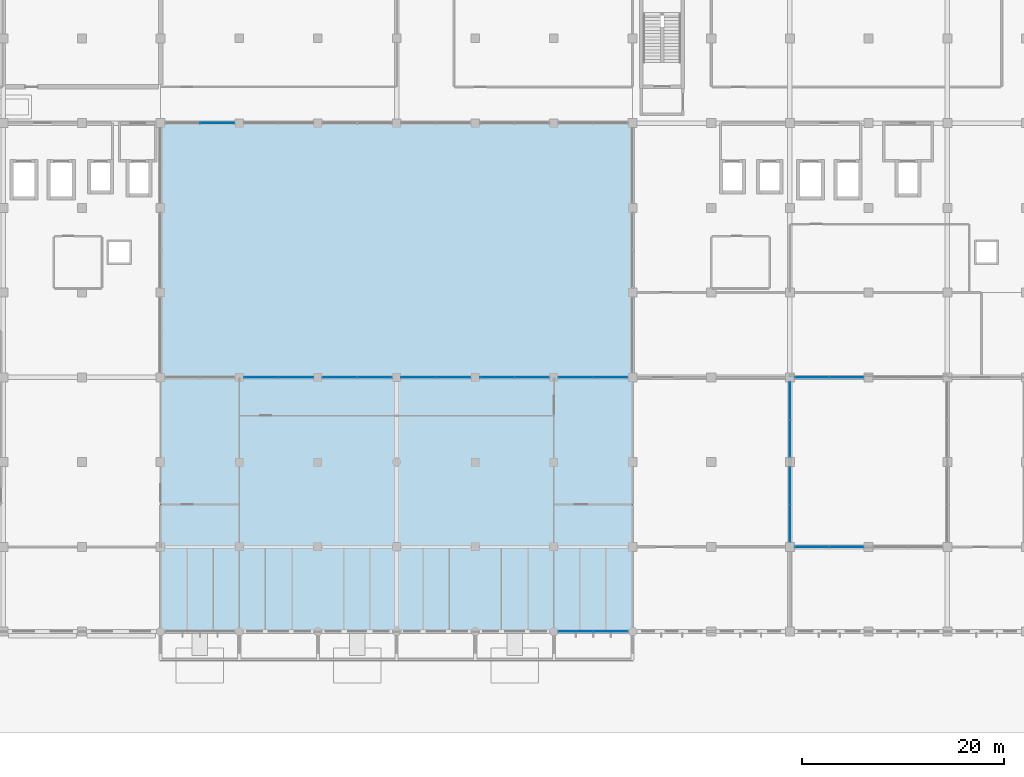
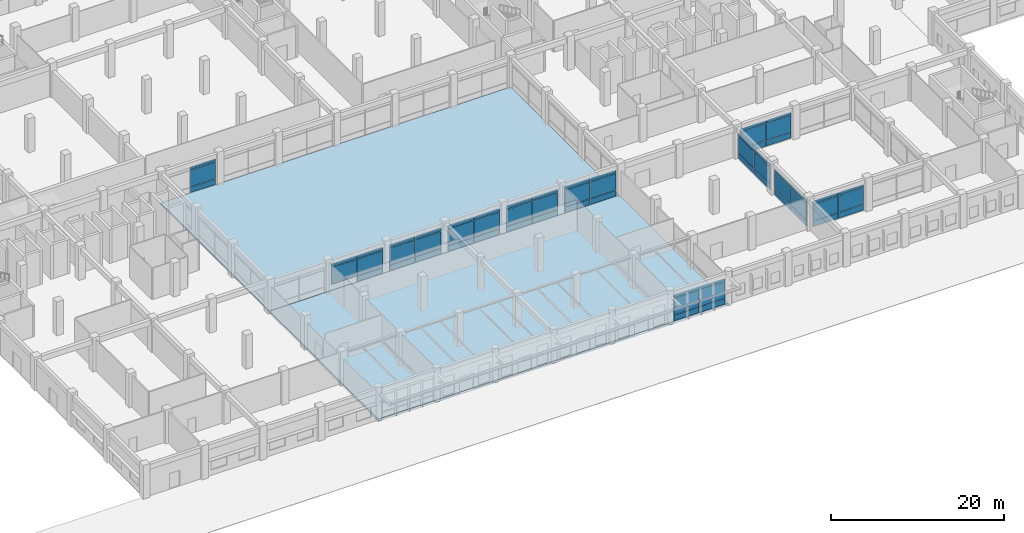
# One storey, part 41 of 74: 62 plates, 2 slabs, 11 elements without a shape of their own.
"""IFC4 building model written with IfcOpenShell, lengths in metres."""

from ifc_helpers import new_model, si_unit, direction, frame, origin, origin_2d, place, context, subcontext, project, spatial, polyline, rectangle, outline, extrude, material, layer, layer_set, type_object, element, aggregate, save


model = new_model("IFC4")

# Units and contexts
model_context = context("Model", 3, precision=1e-05, world=origin(), true_north=direction((0.0, 1.0)))
body_context = subcontext(model_context, "Body", "Model", "MODEL_VIEW")
ifc_project = project(units=[si_unit("LENGTHUNIT", "METRE"), si_unit("AREAUNIT", "SQUARE_METRE"), si_unit("VOLUMEUNIT", "CUBIC_METRE"), si_unit("PLANEANGLEUNIT", "RADIAN"), si_unit("MASSUNIT", "GRAM", prefix="KILO"), si_unit("THERMODYNAMICTEMPERATUREUNIT", "KELVIN"), si_unit("POWERUNIT", "WATT")], contexts=[model_context])

# Site, building, storey
site_placement = place(None, origin())
site = spatial("IfcSite", under=ifc_project, at=site_placement, CompositionType="ELEMENT")
building_placement = place(site_placement, origin())
building = spatial("IfcBuilding", under=site, at=building_placement, Name="Srebrne Nadtorze General Hospital", CompositionType="ELEMENT")
storey_placement = place(building_placement, origin())
storey = spatial("IfcBuildingStorey", under=building, at=storey_placement, Name="L00", CompositionType="ELEMENT", Elevation=0.0)

# Curtain wall, plates
ifc_material_1 = material(Name="Anodised Aluminium", Category="aluminium")
curtain_wall_type_1 = type_object("IfcCurtainWallType", Name="Unitised curtain wall 6950x3750", PredefinedType="NOTDEFINED", material=ifc_material_1)
curtain_wall_1_placement = place(storey_placement, origin())
curtain_wall_1 = element("IfcCurtainWall", 1, at=curtain_wall_1_placement, inside=storey, type_object=curtain_wall_type_1, Name="Curtain wall CW-002", PredefinedType="NOTDEFINED")
ifc_material_2 = material(Name="Triple Low-E Glazing", Category="glass")
ifc_layer_1 = layer(ifc_material_2, 0.050048828125)
ifc_layer_set_1 = layer_set([ifc_layer_1], Name="Triple Low-E Glazing")
plate_type = type_object("IfcPlateType", Name="Glazed curtain panel 50", PredefinedType="CURTAIN_PANEL", material=ifc_layer_set_1)
plate_1_placement = place(storey_placement, frame((95.777587890625, 0.0, 0.06005859375), z_axis=(0.0, 0.0, 1.0), x_axis=(1.0, 0.0, 0.0)))
plate_1 = element("IfcPlate", 2, at=plate_1_placement, type_object=plate_type, Name="CW-002 panel 1.1", PredefinedType="CURTAIN_PANEL", context=body_context, shape_type="SweptSolid", body=[
    extrude(rectangle(XDim=3.385009765625, YDim=0.050048828125, at=origin_2d()), origin(), (0.0, 0.0, 1.0), 0.760009765625),
])
plate_2_placement = place(storey_placement, frame((95.777587890625, 0.0, 0.8798828125), z_axis=(0.0, 0.0, 1.0), x_axis=(1.0, 0.0, 0.0)))
plate_2 = element("IfcPlate", 3, at=plate_2_placement, type_object=plate_type, Name="CW-002 panel 1.2", PredefinedType="CURTAIN_PANEL", context=body_context, shape_type="SweptSolid", body=[
    extrude(rectangle(XDim=3.385009765625, YDim=0.050048828125, at=origin_2d()), origin(), (0.0, 0.0, 1.0), 2.340087890625),
])
plate_3_placement = place(storey_placement, frame((95.777587890625, 0.0, 3.2802734375), z_axis=(0.0, 0.0, 1.0), x_axis=(1.0, 0.0, 0.0)))
plate_3 = element("IfcPlate", 4, at=plate_3_placement, type_object=plate_type, Name="CW-002 panel 1.3", PredefinedType="CURTAIN_PANEL", context=body_context, shape_type="SweptSolid", body=[
    extrude(rectangle(XDim=3.385009765625, YDim=0.050048828125, at=origin_2d()), origin(), (0.0, 0.0, 1.0), 0.409912109375),
])
plate_4_placement = place(storey_placement, frame((99.222412109375, 0.0, 0.06005859375), z_axis=(0.0, 0.0, 1.0), x_axis=(1.0, 0.0, 0.0)))
plate_4 = element("IfcPlate", 5, at=plate_4_placement, type_object=plate_type, Name="CW-002 panel 2.1", PredefinedType="CURTAIN_PANEL", context=body_context, shape_type="SweptSolid", body=[
    extrude(rectangle(XDim=3.385009765625, YDim=0.050048828125, at=origin_2d()), origin(), (0.0, 0.0, 1.0), 0.760009765625),
])
plate_5_placement = place(storey_placement, frame((99.222412109375, 0.0, 0.8798828125), z_axis=(0.0, 0.0, 1.0), x_axis=(1.0, 0.0, 0.0)))
plate_5 = element("IfcPlate", 6, at=plate_5_placement, type_object=plate_type, Name="CW-002 panel 2.2", PredefinedType="CURTAIN_PANEL", context=body_context, shape_type="SweptSolid", body=[
    extrude(rectangle(XDim=3.385009765625, YDim=0.050048828125, at=origin_2d()), origin(), (0.0, 0.0, 1.0), 2.340087890625),
])
plate_6_placement = place(storey_placement, frame((99.222412109375, 0.0, 3.2802734375), z_axis=(0.0, 0.0, 1.0), x_axis=(1.0, 0.0, 0.0)))
plate_6 = element("IfcPlate", 7, at=plate_6_placement, type_object=plate_type, Name="CW-002 panel 2.3", PredefinedType="CURTAIN_PANEL", context=body_context, shape_type="SweptSolid", body=[
    extrude(rectangle(XDim=3.385009765625, YDim=0.050048828125, at=origin_2d()), origin(), (0.0, 0.0, 1.0), 0.409912109375),
])
aggregate(curtain_wall_1, [plate_1, plate_2, plate_3, plate_4, plate_5, plate_6])

ifc_material_3 = material(Name="Anodised Aluminium", Category="aluminium")
curtain_wall_type_2 = type_object("IfcCurtainWallType", Name="Unitised curtain wall 6900x3750", PredefinedType="NOTDEFINED", material=ifc_material_3)
curtain_wall_2_placement = place(storey_placement, origin())
curtain_wall_2 = element("IfcCurtainWall", 8, at=curtain_wall_2_placement, inside=storey, type_object=curtain_wall_type_2, Name="Curtain wall CW-003", PredefinedType="NOTDEFINED")
plate_7_placement = place(storey_placement, frame((119.191162109375, 8.39990234375, 0.06494140625), z_axis=(0.0, 0.0, 1.0), x_axis=(1.0, 0.0, 0.0)))
plate_7 = element("IfcPlate", 9, at=plate_7_placement, type_object=plate_type, Name="CW-003 panel 1.1", PredefinedType="CURTAIN_PANEL", context=body_context, shape_type="SweptSolid", body=[
    extrude(rectangle(XDim=3.3525390625, YDim=0.050048828125, at=origin_2d()), origin(), (0.0, 0.0, 1.0), 0.75244140625),
])
plate_8_placement = place(storey_placement, frame((119.191162109375, 8.39990234375, 0.882568359375), z_axis=(0.0, 0.0, 1.0), x_axis=(1.0, 0.0, 0.0)))
plate_8 = element("IfcPlate", 10, at=plate_8_placement, type_object=plate_type, Name="CW-003 panel 1.2", PredefinedType="CURTAIN_PANEL", context=body_context, shape_type="SweptSolid", body=[
    extrude(rectangle(XDim=3.3525390625, YDim=0.050048828125, at=origin_2d()), origin(), (0.0, 0.0, 1.0), 2.3349609375),
])
plate_9_placement = place(storey_placement, frame((119.191162109375, 8.39990234375, 3.2822265625), z_axis=(0.0, 0.0, 1.0), x_axis=(1.0, 0.0, 0.0)))
plate_9 = element("IfcPlate", 11, at=plate_9_placement, type_object=plate_type, Name="CW-003 panel 1.3", PredefinedType="CURTAIN_PANEL", context=body_context, shape_type="SweptSolid", body=[
    extrude(rectangle(XDim=3.3525390625, YDim=0.050048828125, at=origin_2d()), origin(), (0.0, 0.0, 1.0), 0.402587890625),
])
plate_10_placement = place(storey_placement, frame((122.608642578125, 8.39990234375, 0.06494140625), z_axis=(0.0, 0.0, 1.0), x_axis=(1.0, 0.0, 0.0)))
plate_10 = element("IfcPlate", 12, at=plate_10_placement, type_object=plate_type, Name="CW-003 panel 2.1", PredefinedType="CURTAIN_PANEL", context=body_context, shape_type="SweptSolid", body=[
    extrude(rectangle(XDim=3.3525390625, YDim=0.050048828125, at=origin_2d()), origin(), (0.0, 0.0, 1.0), 0.75244140625),
])
plate_11_placement = place(storey_placement, frame((122.608642578125, 8.39990234375, 0.882568359375), z_axis=(0.0, 0.0, 1.0), x_axis=(1.0, 0.0, 0.0)))
plate_11 = element("IfcPlate", 13, at=plate_11_placement, type_object=plate_type, Name="CW-003 panel 2.2", PredefinedType="CURTAIN_PANEL", context=body_context, shape_type="SweptSolid", body=[
    extrude(rectangle(XDim=3.3525390625, YDim=0.050048828125, at=origin_2d()), origin(), (0.0, 0.0, 1.0), 2.3349609375),
])
plate_12_placement = place(storey_placement, frame((122.608642578125, 8.39990234375, 3.2822265625), z_axis=(0.0, 0.0, 1.0), x_axis=(1.0, 0.0, 0.0)))
plate_12 = element("IfcPlate", 14, at=plate_12_placement, type_object=plate_type, Name="CW-003 panel 2.3", PredefinedType="CURTAIN_PANEL", context=body_context, shape_type="SweptSolid", body=[
    extrude(rectangle(XDim=3.3525390625, YDim=0.050048828125, at=origin_2d()), origin(), (0.0, 0.0, 1.0), 0.402587890625),
])
aggregate(curtain_wall_2, [plate_7, plate_8, plate_9, plate_10, plate_11, plate_12])

curtain_wall_3_placement = place(storey_placement, origin())
curtain_wall_3 = element("IfcCurtainWall", 15, at=curtain_wall_3_placement, inside=storey, type_object=curtain_wall_type_1, Name="Curtain wall CW-006", PredefinedType="NOTDEFINED")
plate_13_placement = place(storey_placement, frame((64.577392578125, 25.199951171875, 0.8798828125), z_axis=(0.0, 0.0, 1.0), x_axis=(1.0, 0.0, 0.0)))
plate_13 = element("IfcPlate", 16, at=plate_13_placement, type_object=plate_type, Name="CW-006 panel 1.2", PredefinedType="CURTAIN_PANEL", context=body_context, shape_type="SweptSolid", body=[
    extrude(rectangle(XDim=3.385009765625, YDim=0.050048828125, at=origin_2d()), origin(), (0.0, 0.0, 1.0), 2.340087890625),
])
plate_14_placement = place(storey_placement, frame((64.577392578125, 25.199951171875, 3.2802734375), z_axis=(0.0, 0.0, 1.0), x_axis=(1.0, 0.0, 0.0)))
plate_14 = element("IfcPlate", 17, at=plate_14_placement, type_object=plate_type, Name="CW-006 panel 1.3", PredefinedType="CURTAIN_PANEL", context=body_context, shape_type="SweptSolid", body=[
    extrude(rectangle(XDim=3.385009765625, YDim=0.050048828125, at=origin_2d()), origin(), (0.0, 0.0, 1.0), 0.409912109375),
])
plate_15_placement = place(storey_placement, frame((68.0224609375, 25.199951171875, 0.06005859375), z_axis=(0.0, 0.0, 1.0), x_axis=(1.0, 0.0, 0.0)))
plate_15 = element("IfcPlate", 18, at=plate_15_placement, type_object=plate_type, Name="CW-006 panel 2.1", PredefinedType="CURTAIN_PANEL", context=body_context, shape_type="SweptSolid", body=[
    extrude(rectangle(XDim=3.385009765625, YDim=0.050048828125, at=origin_2d()), origin(), (0.0, 0.0, 1.0), 0.760009765625),
])
plate_16_placement = place(storey_placement, frame((68.0224609375, 25.199951171875, 0.8798828125), z_axis=(0.0, 0.0, 1.0), x_axis=(1.0, 0.0, 0.0)))
plate_16 = element("IfcPlate", 19, at=plate_16_placement, type_object=plate_type, Name="CW-006 panel 2.2", PredefinedType="CURTAIN_PANEL", context=body_context, shape_type="SweptSolid", body=[
    extrude(rectangle(XDim=3.385009765625, YDim=0.050048828125, at=origin_2d()), origin(), (0.0, 0.0, 1.0), 2.340087890625),
])
plate_17_placement = place(storey_placement, frame((68.0224609375, 25.199951171875, 3.2802734375), z_axis=(0.0, 0.0, 1.0), x_axis=(1.0, 0.0, 0.0)))
plate_17 = element("IfcPlate", 20, at=plate_17_placement, type_object=plate_type, Name="CW-006 panel 2.3", PredefinedType="CURTAIN_PANEL", context=body_context, shape_type="SweptSolid", body=[
    extrude(rectangle(XDim=3.385009765625, YDim=0.050048828125, at=origin_2d()), origin(), (0.0, 0.0, 1.0), 0.409912109375),
])
aggregate(curtain_wall_3, [plate_13, plate_14, plate_15, plate_16, plate_17])

curtain_wall_4_placement = place(storey_placement, origin())
curtain_wall_4 = element("IfcCurtainWall", 21, at=curtain_wall_4_placement, inside=storey, type_object=curtain_wall_type_1, Name="Curtain wall CW-007", PredefinedType="NOTDEFINED")
plate_18_placement = place(storey_placement, frame((72.378662109375, 25.199951171875, 0.06494140625), z_axis=(0.0, 0.0, 1.0), x_axis=(1.0, 0.0, 0.0)))
plate_18 = element("IfcPlate", 22, at=plate_18_placement, type_object=plate_type, Name="CW-007 panel 1.1", PredefinedType="CURTAIN_PANEL", context=body_context, shape_type="SweptSolid", body=[
    extrude(rectangle(XDim=3.37744140625, YDim=0.050048828125, at=origin_2d()), origin(), (0.0, 0.0, 1.0), 0.75244140625),
])
plate_19_placement = place(storey_placement, frame((72.378662109375, 25.199951171875, 0.882568359375), z_axis=(0.0, 0.0, 1.0), x_axis=(1.0, 0.0, 0.0)))
plate_19 = element("IfcPlate", 23, at=plate_19_placement, type_object=plate_type, Name="CW-007 panel 1.2", PredefinedType="CURTAIN_PANEL", context=body_context, shape_type="SweptSolid", body=[
    extrude(rectangle(XDim=3.37744140625, YDim=0.050048828125, at=origin_2d()), origin(), (0.0, 0.0, 1.0), 2.3349609375),
])
plate_20_placement = place(storey_placement, frame((72.378662109375, 25.199951171875, 3.2822265625), z_axis=(0.0, 0.0, 1.0), x_axis=(1.0, 0.0, 0.0)))
plate_20 = element("IfcPlate", 24, at=plate_20_placement, type_object=plate_type, Name="CW-007 panel 1.3", PredefinedType="CURTAIN_PANEL", context=body_context, shape_type="SweptSolid", body=[
    extrude(rectangle(XDim=3.37744140625, YDim=0.050048828125, at=origin_2d()), origin(), (0.0, 0.0, 1.0), 0.402587890625),
])
plate_21_placement = place(storey_placement, frame((75.8212890625, 25.199951171875, 0.06494140625), z_axis=(0.0, 0.0, 1.0), x_axis=(1.0, 0.0, 0.0)))
plate_21 = element("IfcPlate", 25, at=plate_21_placement, type_object=plate_type, Name="CW-007 panel 2.1", PredefinedType="CURTAIN_PANEL", context=body_context, shape_type="SweptSolid", body=[
    extrude(rectangle(XDim=3.37744140625, YDim=0.050048828125, at=origin_2d()), origin(), (0.0, 0.0, 1.0), 0.75244140625),
])
plate_22_placement = place(storey_placement, frame((75.8212890625, 25.199951171875, 0.882568359375), z_axis=(0.0, 0.0, 1.0), x_axis=(1.0, 0.0, 0.0)))
plate_22 = element("IfcPlate", 26, at=plate_22_placement, type_object=plate_type, Name="CW-007 panel 2.2", PredefinedType="CURTAIN_PANEL", context=body_context, shape_type="SweptSolid", body=[
    extrude(rectangle(XDim=3.37744140625, YDim=0.050048828125, at=origin_2d()), origin(), (0.0, 0.0, 1.0), 2.3349609375),
])
plate_23_placement = place(storey_placement, frame((75.8212890625, 25.199951171875, 3.2822265625), z_axis=(0.0, 0.0, 1.0), x_axis=(1.0, 0.0, 0.0)))
plate_23 = element("IfcPlate", 27, at=plate_23_placement, type_object=plate_type, Name="CW-007 panel 2.3", PredefinedType="CURTAIN_PANEL", context=body_context, shape_type="SweptSolid", body=[
    extrude(rectangle(XDim=3.37744140625, YDim=0.050048828125, at=origin_2d()), origin(), (0.0, 0.0, 1.0), 0.402587890625),
])
aggregate(curtain_wall_4, [plate_18, plate_19, plate_20, plate_21, plate_22, plate_23])

curtain_wall_5_placement = place(storey_placement, origin())
curtain_wall_5 = element("IfcCurtainWall", 28, at=curtain_wall_5_placement, inside=storey, type_object=curtain_wall_type_1, Name="Curtain wall CW-008", PredefinedType="NOTDEFINED")
plate_24_placement = place(storey_placement, frame((80.177490234375, 25.199951171875, 0.06005859375), z_axis=(0.0, 0.0, 1.0), x_axis=(1.0, 0.0, 0.0)))
plate_24 = element("IfcPlate", 29, at=plate_24_placement, type_object=plate_type, Name="CW-008 panel 1.1", PredefinedType="CURTAIN_PANEL", context=body_context, shape_type="SweptSolid", body=[
    extrude(rectangle(XDim=3.385009765625, YDim=0.050048828125, at=origin_2d()), origin(), (0.0, 0.0, 1.0), 0.760009765625),
])
plate_25_placement = place(storey_placement, frame((80.177490234375, 25.199951171875, 0.8798828125), z_axis=(0.0, 0.0, 1.0), x_axis=(1.0, 0.0, 0.0)))
plate_25 = element("IfcPlate", 30, at=plate_25_placement, type_object=plate_type, Name="CW-008 panel 1.2", PredefinedType="CURTAIN_PANEL", context=body_context, shape_type="SweptSolid", body=[
    extrude(rectangle(XDim=3.385009765625, YDim=0.050048828125, at=origin_2d()), origin(), (0.0, 0.0, 1.0), 2.340087890625),
])
plate_26_placement = place(storey_placement, frame((80.177490234375, 25.199951171875, 3.2802734375), z_axis=(0.0, 0.0, 1.0), x_axis=(1.0, 0.0, 0.0)))
plate_26 = element("IfcPlate", 31, at=plate_26_placement, type_object=plate_type, Name="CW-008 panel 1.3", PredefinedType="CURTAIN_PANEL", context=body_context, shape_type="SweptSolid", body=[
    extrude(rectangle(XDim=3.385009765625, YDim=0.050048828125, at=origin_2d()), origin(), (0.0, 0.0, 1.0), 0.409912109375),
])
plate_27_placement = place(storey_placement, frame((83.62255859375, 25.199951171875, 0.06005859375), z_axis=(0.0, 0.0, 1.0), x_axis=(1.0, 0.0, 0.0)))
plate_27 = element("IfcPlate", 32, at=plate_27_placement, type_object=plate_type, Name="CW-008 panel 2.1", PredefinedType="CURTAIN_PANEL", context=body_context, shape_type="SweptSolid", body=[
    extrude(rectangle(XDim=3.385009765625, YDim=0.050048828125, at=origin_2d()), origin(), (0.0, 0.0, 1.0), 0.760009765625),
])
plate_28_placement = place(storey_placement, frame((83.62255859375, 25.199951171875, 0.8798828125), z_axis=(0.0, 0.0, 1.0), x_axis=(1.0, 0.0, 0.0)))
plate_28 = element("IfcPlate", 33, at=plate_28_placement, type_object=plate_type, Name="CW-008 panel 2.2", PredefinedType="CURTAIN_PANEL", context=body_context, shape_type="SweptSolid", body=[
    extrude(rectangle(XDim=3.385009765625, YDim=0.050048828125, at=origin_2d()), origin(), (0.0, 0.0, 1.0), 2.340087890625),
])
plate_29_placement = place(storey_placement, frame((83.62255859375, 25.199951171875, 3.2802734375), z_axis=(0.0, 0.0, 1.0), x_axis=(1.0, 0.0, 0.0)))
plate_29 = element("IfcPlate", 34, at=plate_29_placement, type_object=plate_type, Name="CW-008 panel 2.3", PredefinedType="CURTAIN_PANEL", context=body_context, shape_type="SweptSolid", body=[
    extrude(rectangle(XDim=3.385009765625, YDim=0.050048828125, at=origin_2d()), origin(), (0.0, 0.0, 1.0), 0.409912109375),
])
aggregate(curtain_wall_5, [plate_24, plate_25, plate_26, plate_27, plate_28, plate_29])

curtain_wall_6_placement = place(storey_placement, origin())
curtain_wall_6 = element("IfcCurtainWall", 35, at=curtain_wall_6_placement, inside=storey, type_object=curtain_wall_type_1, Name="Curtain wall CW-009", PredefinedType="NOTDEFINED")
plate_30_placement = place(storey_placement, frame((87.978759765625, 25.199951171875, 0.06494140625), z_axis=(0.0, 0.0, 1.0), x_axis=(1.0, 0.0, 0.0)))
plate_30 = element("IfcPlate", 36, at=plate_30_placement, type_object=plate_type, Name="CW-009 panel 1.1", PredefinedType="CURTAIN_PANEL", context=body_context, shape_type="SweptSolid", body=[
    extrude(rectangle(XDim=3.37744140625, YDim=0.050048828125, at=origin_2d()), origin(), (0.0, 0.0, 1.0), 0.75244140625),
])
plate_31_placement = place(storey_placement, frame((87.978759765625, 25.199951171875, 0.882568359375), z_axis=(0.0, 0.0, 1.0), x_axis=(1.0, 0.0, 0.0)))
plate_31 = element("IfcPlate", 37, at=plate_31_placement, type_object=plate_type, Name="CW-009 panel 1.2", PredefinedType="CURTAIN_PANEL", context=body_context, shape_type="SweptSolid", body=[
    extrude(rectangle(XDim=3.37744140625, YDim=0.050048828125, at=origin_2d()), origin(), (0.0, 0.0, 1.0), 2.3349609375),
])
plate_32_placement = place(storey_placement, frame((87.978759765625, 25.199951171875, 3.2822265625), z_axis=(0.0, 0.0, 1.0), x_axis=(1.0, 0.0, 0.0)))
plate_32 = element("IfcPlate", 38, at=plate_32_placement, type_object=plate_type, Name="CW-009 panel 1.3", PredefinedType="CURTAIN_PANEL", context=body_context, shape_type="SweptSolid", body=[
    extrude(rectangle(XDim=3.37744140625, YDim=0.050048828125, at=origin_2d()), origin(), (0.0, 0.0, 1.0), 0.402587890625),
])
plate_33_placement = place(storey_placement, frame((91.421142578125, 25.199951171875, 0.06494140625), z_axis=(0.0, 0.0, 1.0), x_axis=(1.0, 0.0, 0.0)))
plate_33 = element("IfcPlate", 39, at=plate_33_placement, type_object=plate_type, Name="CW-009 panel 2.1", PredefinedType="CURTAIN_PANEL", context=body_context, shape_type="SweptSolid", body=[
    extrude(rectangle(XDim=3.37744140625, YDim=0.050048828125, at=origin_2d()), origin(), (0.0, 0.0, 1.0), 0.75244140625),
])
plate_34_placement = place(storey_placement, frame((91.421142578125, 25.199951171875, 0.882568359375), z_axis=(0.0, 0.0, 1.0), x_axis=(1.0, 0.0, 0.0)))
plate_34 = element("IfcPlate", 40, at=plate_34_placement, type_object=plate_type, Name="CW-009 panel 2.2", PredefinedType="CURTAIN_PANEL", context=body_context, shape_type="SweptSolid", body=[
    extrude(rectangle(XDim=3.37744140625, YDim=0.050048828125, at=origin_2d()), origin(), (0.0, 0.0, 1.0), 2.3349609375),
])
plate_35_placement = place(storey_placement, frame((91.421142578125, 25.199951171875, 3.2822265625), z_axis=(0.0, 0.0, 1.0), x_axis=(1.0, 0.0, 0.0)))
plate_35 = element("IfcPlate", 41, at=plate_35_placement, type_object=plate_type, Name="CW-009 panel 2.3", PredefinedType="CURTAIN_PANEL", context=body_context, shape_type="SweptSolid", body=[
    extrude(rectangle(XDim=3.37744140625, YDim=0.050048828125, at=origin_2d()), origin(), (0.0, 0.0, 1.0), 0.402587890625),
])
aggregate(curtain_wall_6, [plate_30, plate_31, plate_32, plate_33, plate_34, plate_35])

ifc_material_4 = material(Name="Anodised Aluminium", Category="aluminium")
curtain_wall_type_3 = type_object("IfcCurtainWallType", Name="Unitised curtain wall 6925x3750", PredefinedType="NOTDEFINED", material=ifc_material_4)
curtain_wall_7_placement = place(storey_placement, origin())
curtain_wall_7 = element("IfcCurtainWall", 42, at=curtain_wall_7_placement, inside=storey, type_object=curtain_wall_type_3, Name="Curtain wall CW-010", PredefinedType="NOTDEFINED")
plate_36_placement = place(storey_placement, frame((95.771240234375, 25.199951171875, 0.06005859375), z_axis=(0.0, 0.0, 1.0), x_axis=(1.0, 0.0, 0.0)))
plate_36 = element("IfcPlate", 43, at=plate_36_placement, type_object=plate_type, Name="CW-010 panel 1.1", PredefinedType="CURTAIN_PANEL", context=body_context, shape_type="SweptSolid", body=[
    extrude(rectangle(XDim=3.37255859375, YDim=0.050048828125, at=origin_2d()), origin(), (0.0, 0.0, 1.0), 0.760009765625),
])
plate_37_placement = place(storey_placement, frame((95.771240234375, 25.199951171875, 0.8798828125), z_axis=(0.0, 0.0, 1.0), x_axis=(1.0, 0.0, 0.0)))
plate_37 = element("IfcPlate", 44, at=plate_37_placement, type_object=plate_type, Name="CW-010 panel 1.2", PredefinedType="CURTAIN_PANEL", context=body_context, shape_type="SweptSolid", body=[
    extrude(rectangle(XDim=3.37255859375, YDim=0.050048828125, at=origin_2d()), origin(), (0.0, 0.0, 1.0), 2.340087890625),
])
plate_38_placement = place(storey_placement, frame((95.771240234375, 25.199951171875, 3.2802734375), z_axis=(0.0, 0.0, 1.0), x_axis=(1.0, 0.0, 0.0)))
plate_38 = element("IfcPlate", 45, at=plate_38_placement, type_object=plate_type, Name="CW-010 panel 1.3", PredefinedType="CURTAIN_PANEL", context=body_context, shape_type="SweptSolid", body=[
    extrude(rectangle(XDim=3.37255859375, YDim=0.050048828125, at=origin_2d()), origin(), (0.0, 0.0, 1.0), 0.409912109375),
])
plate_39_placement = place(storey_placement, frame((99.203857421875, 25.199951171875, 0.06005859375), z_axis=(0.0, 0.0, 1.0), x_axis=(1.0, 0.0, 0.0)))
plate_39 = element("IfcPlate", 46, at=plate_39_placement, type_object=plate_type, Name="CW-010 panel 2.1", PredefinedType="CURTAIN_PANEL", context=body_context, shape_type="SweptSolid", body=[
    extrude(rectangle(XDim=3.37255859375, YDim=0.050048828125, at=origin_2d()), origin(), (0.0, 0.0, 1.0), 0.760009765625),
])
plate_40_placement = place(storey_placement, frame((99.203857421875, 25.199951171875, 0.8798828125), z_axis=(0.0, 0.0, 1.0), x_axis=(1.0, 0.0, 0.0)))
plate_40 = element("IfcPlate", 47, at=plate_40_placement, type_object=plate_type, Name="CW-010 panel 2.2", PredefinedType="CURTAIN_PANEL", context=body_context, shape_type="SweptSolid", body=[
    extrude(rectangle(XDim=3.37255859375, YDim=0.050048828125, at=origin_2d()), origin(), (0.0, 0.0, 1.0), 2.340087890625),
])
plate_41_placement = place(storey_placement, frame((99.203857421875, 25.199951171875, 3.2802734375), z_axis=(0.0, 0.0, 1.0), x_axis=(1.0, 0.0, 0.0)))
plate_41 = element("IfcPlate", 48, at=plate_41_placement, type_object=plate_type, Name="CW-010 panel 2.3", PredefinedType="CURTAIN_PANEL", context=body_context, shape_type="SweptSolid", body=[
    extrude(rectangle(XDim=3.37255859375, YDim=0.050048828125, at=origin_2d()), origin(), (0.0, 0.0, 1.0), 0.409912109375),
])
aggregate(curtain_wall_7, [plate_36, plate_37, plate_38, plate_39, plate_40, plate_41])

curtain_wall_8_placement = place(storey_placement, origin())
curtain_wall_8 = element("IfcCurtainWall", 49, at=curtain_wall_8_placement, inside=storey, type_object=curtain_wall_type_2, Name="Curtain wall CW-011", PredefinedType="NOTDEFINED")
plate_42_placement = place(storey_placement, frame((119.191162109375, 25.199951171875, 0.06494140625), z_axis=(0.0, 0.0, 1.0), x_axis=(1.0, 0.0, 0.0)))
plate_42 = element("IfcPlate", 50, at=plate_42_placement, type_object=plate_type, Name="CW-011 panel 1.1", PredefinedType="CURTAIN_PANEL", context=body_context, shape_type="SweptSolid", body=[
    extrude(rectangle(XDim=3.3525390625, YDim=0.050048828125, at=origin_2d()), origin(), (0.0, 0.0, 1.0), 0.75244140625),
])
plate_43_placement = place(storey_placement, frame((119.191162109375, 25.199951171875, 0.882568359375), z_axis=(0.0, 0.0, 1.0), x_axis=(1.0, 0.0, 0.0)))
plate_43 = element("IfcPlate", 51, at=plate_43_placement, type_object=plate_type, Name="CW-011 panel 1.2", PredefinedType="CURTAIN_PANEL", context=body_context, shape_type="SweptSolid", body=[
    extrude(rectangle(XDim=3.3525390625, YDim=0.050048828125, at=origin_2d()), origin(), (0.0, 0.0, 1.0), 2.3349609375),
])
plate_44_placement = place(storey_placement, frame((119.191162109375, 25.199951171875, 3.2822265625), z_axis=(0.0, 0.0, 1.0), x_axis=(1.0, 0.0, 0.0)))
plate_44 = element("IfcPlate", 52, at=plate_44_placement, type_object=plate_type, Name="CW-011 panel 1.3", PredefinedType="CURTAIN_PANEL", context=body_context, shape_type="SweptSolid", body=[
    extrude(rectangle(XDim=3.3525390625, YDim=0.050048828125, at=origin_2d()), origin(), (0.0, 0.0, 1.0), 0.402587890625),
])
plate_45_placement = place(storey_placement, frame((122.608642578125, 25.199951171875, 0.06494140625), z_axis=(0.0, 0.0, 1.0), x_axis=(1.0, 0.0, 0.0)))
plate_45 = element("IfcPlate", 53, at=plate_45_placement, type_object=plate_type, Name="CW-011 panel 2.1", PredefinedType="CURTAIN_PANEL", context=body_context, shape_type="SweptSolid", body=[
    extrude(rectangle(XDim=3.3525390625, YDim=0.050048828125, at=origin_2d()), origin(), (0.0, 0.0, 1.0), 0.75244140625),
])
plate_46_placement = place(storey_placement, frame((122.608642578125, 25.199951171875, 0.882568359375), z_axis=(0.0, 0.0, 1.0), x_axis=(1.0, 0.0, 0.0)))
plate_46 = element("IfcPlate", 54, at=plate_46_placement, type_object=plate_type, Name="CW-011 panel 2.2", PredefinedType="CURTAIN_PANEL", context=body_context, shape_type="SweptSolid", body=[
    extrude(rectangle(XDim=3.3525390625, YDim=0.050048828125, at=origin_2d()), origin(), (0.0, 0.0, 1.0), 2.3349609375),
])
plate_47_placement = place(storey_placement, frame((122.608642578125, 25.199951171875, 3.2822265625), z_axis=(0.0, 0.0, 1.0), x_axis=(1.0, 0.0, 0.0)))
plate_47 = element("IfcPlate", 55, at=plate_47_placement, type_object=plate_type, Name="CW-011 panel 2.3", PredefinedType="CURTAIN_PANEL", context=body_context, shape_type="SweptSolid", body=[
    extrude(rectangle(XDim=3.3525390625, YDim=0.050048828125, at=origin_2d()), origin(), (0.0, 0.0, 1.0), 0.402587890625),
])
aggregate(curtain_wall_8, [plate_42, plate_43, plate_44, plate_45, plate_46, plate_47])

curtain_wall_9_placement = place(storey_placement, origin())
curtain_wall_9 = element("IfcCurtainWall", 56, at=curtain_wall_9_placement, inside=storey, type_object=curtain_wall_type_3, Name="Curtain wall CW-013", PredefinedType="NOTDEFINED")
plate_48_placement = place(storey_placement, frame((60.2275390625, 50.39990234375, 0.06494140625), z_axis=(0.0, 0.0, 1.0), x_axis=(1.0, 0.0, 0.0)))
plate_48 = element("IfcPlate", 57, at=plate_48_placement, type_object=plate_type, Name="CW-013 panel 2.1", PredefinedType="CURTAIN_PANEL", context=body_context, shape_type="SweptSolid", body=[
    extrude(rectangle(XDim=3.364990234375, YDim=0.050048828125, at=origin_2d()), origin(), (0.0, 0.0, 1.0), 0.75244140625),
])
plate_49_placement = place(storey_placement, frame((60.2275390625, 50.39990234375, 0.882568359375), z_axis=(0.0, 0.0, 1.0), x_axis=(1.0, 0.0, 0.0)))
plate_49 = element("IfcPlate", 58, at=plate_49_placement, type_object=plate_type, Name="CW-013 panel 2.2", PredefinedType="CURTAIN_PANEL", context=body_context, shape_type="SweptSolid", body=[
    extrude(rectangle(XDim=3.364990234375, YDim=0.050048828125, at=origin_2d()), origin(), (0.0, 0.0, 1.0), 2.3349609375),
])
plate_50_placement = place(storey_placement, frame((60.2275390625, 50.39990234375, 3.2822265625), z_axis=(0.0, 0.0, 1.0), x_axis=(1.0, 0.0, 0.0)))
plate_50 = element("IfcPlate", 59, at=plate_50_placement, type_object=plate_type, Name="CW-013 panel 2.3", PredefinedType="CURTAIN_PANEL", context=body_context, shape_type="SweptSolid", body=[
    extrude(rectangle(XDim=3.364990234375, YDim=0.050048828125, at=origin_2d()), origin(), (0.0, 0.0, 1.0), 0.402587890625),
])
aggregate(curtain_wall_9, [plate_48, plate_49, plate_50])

ifc_material_5 = material(Name="Anodised Aluminium", Category="aluminium")
curtain_wall_type_4 = type_object("IfcCurtainWallType", Name="Unitised curtain wall 7500x3750", PredefinedType="NOTDEFINED", material=ifc_material_5)
curtain_wall_10_placement = place(storey_placement, origin())
curtain_wall_10 = element("IfcCurtainWall", 60, at=curtain_wall_10_placement, inside=storey, type_object=curtain_wall_type_4, Name="Curtain wall CW-025", PredefinedType="NOTDEFINED")
plate_51_placement = place(storey_placement, frame((117.0, 10.7412109375, 0.06494140625), z_axis=(0.0, 0.0, 1.0), x_axis=(0.0, 1.0, 0.0)))
plate_51 = element("IfcPlate", 61, at=plate_51_placement, type_object=plate_type, Name="CW-025 panel 1.1", PredefinedType="CURTAIN_PANEL", context=body_context, shape_type="SweptSolid", body=[
    extrude(rectangle(XDim=3.652587890625, YDim=0.050048828125, at=origin_2d()), origin(), (0.0, 0.0, 1.0), 0.75244140625),
])
plate_52_placement = place(storey_placement, frame((117.0, 10.7412109375, 0.882568359375), z_axis=(0.0, 0.0, 1.0), x_axis=(0.0, 1.0, 0.0)))
plate_52 = element("IfcPlate", 62, at=plate_52_placement, type_object=plate_type, Name="CW-025 panel 1.2", PredefinedType="CURTAIN_PANEL", context=body_context, shape_type="SweptSolid", body=[
    extrude(rectangle(XDim=3.652587890625, YDim=0.050048828125, at=origin_2d()), origin(), (0.0, 0.0, 1.0), 2.3349609375),
])
plate_53_placement = place(storey_placement, frame((117.0, 10.7412109375, 3.2822265625), z_axis=(0.0, 0.0, 1.0), x_axis=(0.0, 1.0, 0.0)))
plate_53 = element("IfcPlate", 63, at=plate_53_placement, type_object=plate_type, Name="CW-025 panel 1.3", PredefinedType="CURTAIN_PANEL", context=body_context, shape_type="SweptSolid", body=[
    extrude(rectangle(XDim=3.652587890625, YDim=0.050048828125, at=origin_2d()), origin(), (0.0, 0.0, 1.0), 0.402587890625),
])
plate_54_placement = place(storey_placement, frame((117.0, 14.458740234375, 0.06494140625), z_axis=(0.0, 0.0, 1.0), x_axis=(0.0, 1.0, 0.0)))
plate_54 = element("IfcPlate", 64, at=plate_54_placement, type_object=plate_type, Name="CW-025 panel 2.1", PredefinedType="CURTAIN_PANEL", context=body_context, shape_type="SweptSolid", body=[
    extrude(rectangle(XDim=3.652587890625, YDim=0.050048828125, at=origin_2d()), origin(), (0.0, 0.0, 1.0), 0.75244140625),
])
plate_55_placement = place(storey_placement, frame((117.0, 14.458740234375, 0.882568359375), z_axis=(0.0, 0.0, 1.0), x_axis=(0.0, 1.0, 0.0)))
plate_55 = element("IfcPlate", 65, at=plate_55_placement, type_object=plate_type, Name="CW-025 panel 2.2", PredefinedType="CURTAIN_PANEL", context=body_context, shape_type="SweptSolid", body=[
    extrude(rectangle(XDim=3.652587890625, YDim=0.050048828125, at=origin_2d()), origin(), (0.0, 0.0, 1.0), 2.3349609375),
])
plate_56_placement = place(storey_placement, frame((117.0, 14.458740234375, 3.2822265625), z_axis=(0.0, 0.0, 1.0), x_axis=(0.0, 1.0, 0.0)))
plate_56 = element("IfcPlate", 66, at=plate_56_placement, type_object=plate_type, Name="CW-025 panel 2.3", PredefinedType="CURTAIN_PANEL", context=body_context, shape_type="SweptSolid", body=[
    extrude(rectangle(XDim=3.652587890625, YDim=0.050048828125, at=origin_2d()), origin(), (0.0, 0.0, 1.0), 0.402587890625),
])
aggregate(curtain_wall_10, [plate_51, plate_52, plate_53, plate_54, plate_55, plate_56])

curtain_wall_11_placement = place(storey_placement, origin())
curtain_wall_11 = element("IfcCurtainWall", 67, at=curtain_wall_11_placement, inside=storey, type_object=curtain_wall_type_4, Name="Curtain wall CW-026", PredefinedType="NOTDEFINED")
plate_57_placement = place(storey_placement, frame((117.0, 19.139892578125, 0.06005859375), z_axis=(0.0, 0.0, 1.0), x_axis=(0.0, 1.0, 0.0)))
plate_57 = element("IfcPlate", 68, at=plate_57_placement, type_object=plate_type, Name="CW-026 panel 1.1", PredefinedType="CURTAIN_PANEL", context=body_context, shape_type="SweptSolid", body=[
    extrude(rectangle(XDim=3.659912109375, YDim=0.050048828125, at=origin_2d()), origin(), (0.0, 0.0, 1.0), 0.760009765625),
])
plate_58_placement = place(storey_placement, frame((117.0, 19.139892578125, 0.8798828125), z_axis=(0.0, 0.0, 1.0), x_axis=(0.0, 1.0, 0.0)))
plate_58 = element("IfcPlate", 69, at=plate_58_placement, type_object=plate_type, Name="CW-026 panel 1.2", PredefinedType="CURTAIN_PANEL", context=body_context, shape_type="SweptSolid", body=[
    extrude(rectangle(XDim=3.659912109375, YDim=0.050048828125, at=origin_2d()), origin(), (0.0, 0.0, 1.0), 2.340087890625),
])
plate_59_placement = place(storey_placement, frame((117.0, 19.139892578125, 3.2802734375), z_axis=(0.0, 0.0, 1.0), x_axis=(0.0, 1.0, 0.0)))
plate_59 = element("IfcPlate", 70, at=plate_59_placement, type_object=plate_type, Name="CW-026 panel 1.3", PredefinedType="CURTAIN_PANEL", context=body_context, shape_type="SweptSolid", body=[
    extrude(rectangle(XDim=3.659912109375, YDim=0.050048828125, at=origin_2d()), origin(), (0.0, 0.0, 1.0), 0.409912109375),
])
plate_60_placement = place(storey_placement, frame((117.0, 22.860107421875, 0.06005859375), z_axis=(0.0, 0.0, 1.0), x_axis=(0.0, 1.0, 0.0)))
plate_60 = element("IfcPlate", 71, at=plate_60_placement, type_object=plate_type, Name="CW-026 panel 2.1", PredefinedType="CURTAIN_PANEL", context=body_context, shape_type="SweptSolid", body=[
    extrude(rectangle(XDim=3.659912109375, YDim=0.050048828125, at=origin_2d()), origin(), (0.0, 0.0, 1.0), 0.760009765625),
])
plate_61_placement = place(storey_placement, frame((117.0, 22.860107421875, 0.8798828125), z_axis=(0.0, 0.0, 1.0), x_axis=(0.0, 1.0, 0.0)))
plate_61 = element("IfcPlate", 72, at=plate_61_placement, type_object=plate_type, Name="CW-026 panel 2.2", PredefinedType="CURTAIN_PANEL", context=body_context, shape_type="SweptSolid", body=[
    extrude(rectangle(XDim=3.659912109375, YDim=0.050048828125, at=origin_2d()), origin(), (0.0, 0.0, 1.0), 2.340087890625),
])
plate_62_placement = place(storey_placement, frame((117.0, 22.860107421875, 3.2802734375), z_axis=(0.0, 0.0, 1.0), x_axis=(0.0, 1.0, 0.0)))
plate_62 = element("IfcPlate", 73, at=plate_62_placement, type_object=plate_type, Name="CW-026 panel 2.3", PredefinedType="CURTAIN_PANEL", context=body_context, shape_type="SweptSolid", body=[
    extrude(rectangle(XDim=3.659912109375, YDim=0.050048828125, at=origin_2d()), origin(), (0.0, 0.0, 1.0), 0.409912109375),
])
aggregate(curtain_wall_11, [plate_57, plate_58, plate_59, plate_60, plate_61, plate_62])

# Slabs
ifc_material_6 = material(Name="Concrete C35/45", Category="concrete")
ifc_layer_2 = layer(ifc_material_6, 0.35009765625)
ifc_layer_set_2 = layer_set([ifc_layer_2], Name="Concrete C35/45")
slab_type_1 = type_object("IfcSlabType", Name="Suspended floor slab 350", PredefinedType="FLOOR", material=ifc_layer_set_2)
slab_1_placement = place(storey_placement, frame((0.0, 0.0, -0.35009765625)))
element("IfcSlab", 74, at=slab_1_placement, inside=storey, type_object=slab_type_1, Name="Suspended floor slab SL-L00-HALL", PredefinedType="FLOOR", context=body_context, shape_type="SweptSolid", body=[
    extrude(outline(polyline([(101.39990234375, 25.199951171875), (54.60009765625, 25.199951171875), (54.60009765625, 0.0), (101.39990234375, 0.0), (101.39990234375, 25.199951171875)])), origin(), (0.0, 0.0, 1.0), 0.35009765625),
])
ifc_material_7 = material(Name="Concrete C35/45", Category="concrete")
ifc_layer_3 = layer(ifc_material_7, 0.2451171875)
ifc_layer_set_3 = layer_set([ifc_layer_3], Name="Concrete C35/45")
slab_type_2 = type_object("IfcSlabType", Name="Terrace slab 245", PredefinedType="FLOOR", material=ifc_layer_set_3)
slab_2_placement = place(storey_placement, frame((0.0, 0.0, -0.2451171875)))
element("IfcSlab", 75, at=slab_2_placement, inside=storey, type_object=slab_type_2, Name="Courtyard garden deck SL-L00-CT-C", PredefinedType="FLOOR", context=body_context, shape_type="SweptSolid", body=[
    extrude(outline(polyline([(54.60009765625, 25.199951171875), (101.39990234375, 25.199951171875), (101.39990234375, 50.39990234375), (54.60009765625, 50.39990234375), (54.60009765625, 25.199951171875)])), origin(), (0.0, 0.0, 1.0), 0.2451171875),
])

save(model, "model.ifc")
